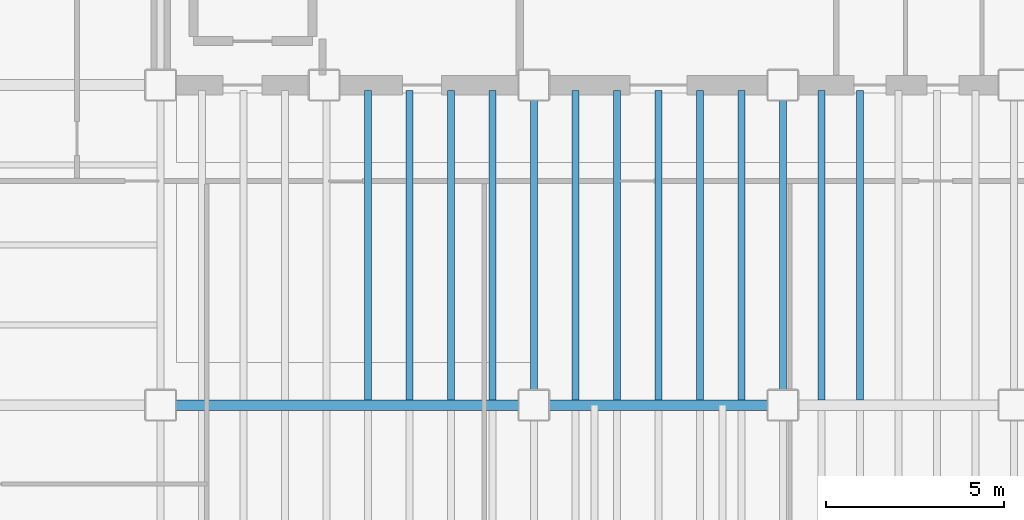
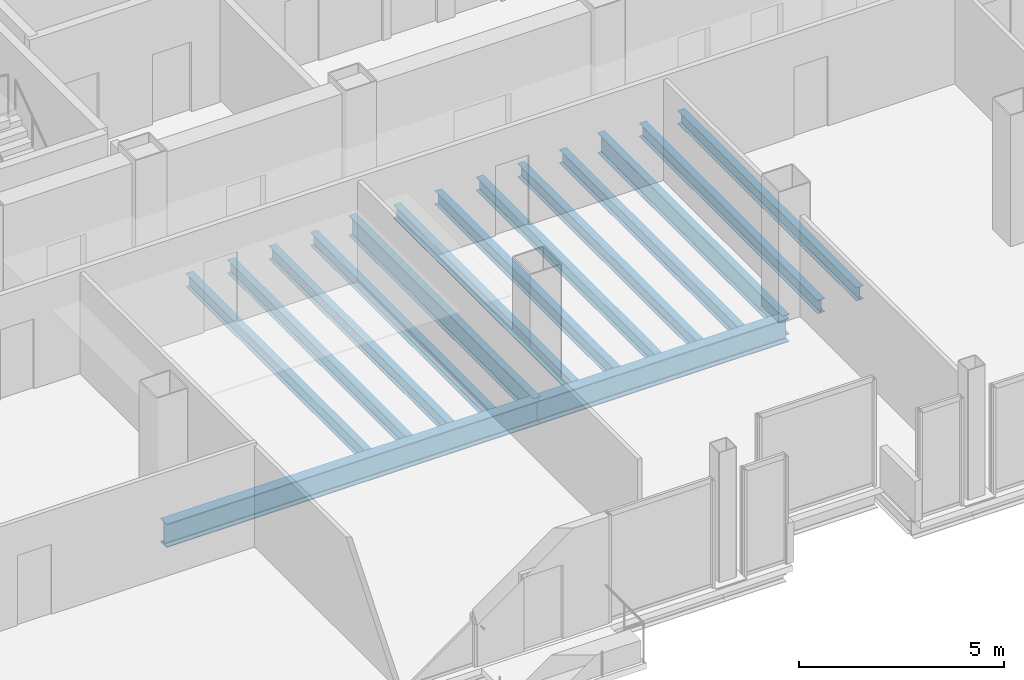
# One storey, part 6 of 20: 15 beams.
"""IFC4 building model written with IfcOpenShell, lengths in metres."""

from ifc_helpers import new_model, si_unit, direction, frame, origin, origin_2d, place, context, subcontext, project, spatial, i_section, extrude, material, material_profile, profile_set, type_object, element, save


model = new_model("IFC4")

# Units and contexts
model_context = context("Model", 3, precision=1e-05, world=origin(), true_north=direction((0.0, 1.0)))
body_context = subcontext(model_context, "Body", "Model", "MODEL_VIEW")
ifc_project = project(units=[si_unit("LENGTHUNIT", "METRE"), si_unit("AREAUNIT", "SQUARE_METRE"), si_unit("VOLUMEUNIT", "CUBIC_METRE"), si_unit("PLANEANGLEUNIT", "RADIAN"), si_unit("MASSUNIT", "GRAM", prefix="KILO")], contexts=[model_context])

# Site, building, storey
site_placement = place(None, origin())
site = spatial("IfcSite", under=ifc_project, at=site_placement, CompositionType="ELEMENT")
building_placement = place(site_placement, origin())
building = spatial("IfcBuilding", under=site, at=building_placement, Name="Noeulbin Bourse Tower", CompositionType="ELEMENT")
storey_placement = place(building_placement, frame((0.0, 0.0, 118.800048828125)))
storey = spatial("IfcBuildingStorey", under=building, at=storey_placement, Name="L29", CompositionType="ELEMENT", Elevation=118.800048828125)

# Beams
ifc_material = material(Name="Steel S355", Category="steel")
ifc_material_profile_1 = material_profile(ifc_material, i_section(OverallWidth=0.199951171875, OverallDepth=0.60009765625, WebThickness=0.010986328125, FlangeThickness=0.01708984375, FilletRadius=0.02197265625, at=origin_2d()), Name="H-600x200x11x17", Category="LoadBearing")
ifc_profile_set_1 = profile_set([ifc_material_profile_1], Name="Steel S355")
beam_type_1 = type_object("IfcBeamType", Name="BM-GRD-600", PredefinedType="USERDEFINED", material=ifc_profile_set_1)
for number, where, z_axis, x_axis, name in (
    (1, (24.0, 20.0, -0.47998046875), (0.0, 1.0, 0.0), (-1.0, 0.0, 0.0), "Tower Primary Girder NS L29-2.2"),
    (2, (31.0, 20.0, -0.47998046875), (0.0, 1.0, 0.0), (-1.0, 0.0, 0.0), "Tower Primary Girder NS L29-3.2"),
):
    element("IfcBeam", number, at=place(storey_placement, frame(where, z_axis=z_axis, x_axis=x_axis)), inside=storey, type_object=beam_type_1, Name=name, ObjectType="GIRDER", PredefinedType="USERDEFINED", context=body_context, shape_type="SweptSolid", body=[
        extrude(i_section(OverallWidth=0.199951171875, OverallDepth=0.60009765625, WebThickness=0.010986328125, FlangeThickness=0.01708984375, FilletRadius=0.02197265625, at=origin_2d()), origin(), (0.0, 0.0, 1.0), 9.0),
    ])
ifc_material_profile_2 = material_profile(ifc_material, i_section(OverallWidth=0.300048828125, OverallDepth=0.699951171875, WebThickness=0.012939453125, FlangeThickness=0.02392578125, FilletRadius=0.02392578125, at=origin_2d()), Name="H-700x300x13x24", Category="LoadBearing")
ifc_profile_set_2 = profile_set([ifc_material_profile_2], Name="Steel S355")
beam_type_2 = type_object("IfcBeamType", Name="BM-GRD-700", PredefinedType="USERDEFINED", material=ifc_profile_set_2)
beam_1_placement = place(storey_placement, frame((13.5, 20.0, -0.530029296875), z_axis=(1.0, 0.0, 0.0), x_axis=(0.0, 1.0, 0.0)))
element("IfcBeam", 3, at=beam_1_placement, inside=storey, type_object=beam_type_2, Name="Tower Primary Girder EW L29-1.2", ObjectType="GIRDER", PredefinedType="USERDEFINED", context=body_context, shape_type="SweptSolid", body=[
    extrude(i_section(OverallWidth=0.300048828125, OverallDepth=0.699951171875, WebThickness=0.012939453125, FlangeThickness=0.02392578125, FilletRadius=0.02392578125, at=origin_2d()), origin(), (0.0, 0.0, 1.0), 10.5),
])
beam_2_placement = place(storey_placement, frame((24.0, 20.0, -0.530029296875), z_axis=(1.0, 0.0, 0.0), x_axis=(0.0, 1.0, 0.0)))
element("IfcBeam", 4, at=beam_2_placement, inside=storey, type_object=beam_type_2, Name="Tower Primary Girder EW L29-1.3", ObjectType="GIRDER", PredefinedType="USERDEFINED", context=body_context, shape_type="SweptSolid", body=[
    extrude(i_section(OverallWidth=0.300048828125, OverallDepth=0.699951171875, WebThickness=0.012939453125, FlangeThickness=0.02392578125, FilletRadius=0.02392578125, at=origin_2d()), origin(), (0.0, 0.0, 1.0), 7.0),
])
ifc_material_profile_3 = material_profile(ifc_material, i_section(OverallWidth=0.199951171875, OverallDepth=0.39990234375, WebThickness=0.008056640625, FlangeThickness=0.012939453125, FilletRadius=0.01611328125, at=origin_2d()), Name="H-400x200x8x13", Category="LoadBearing")
ifc_profile_set_3 = profile_set([ifc_material_profile_3], Name="Steel S355")
beam_type_3 = type_object("IfcBeamType", Name="BM-SEC-400", PredefinedType="BEAM", material=ifc_profile_set_3)
for number, where, z_axis, x_axis, name in (
    (5, (19.333251953125, 20.14990234375, -0.380126953125), (0.0, 1.0, 0.0), (-1.0, 0.0, 0.0), "Tower Composite Joist L29-10"),
    (6, (20.5, 20.14990234375, -0.380126953125), (0.0, 1.0, 0.0), (-1.0, 0.0, 0.0), "Tower Composite Joist L29-12"),
    (7, (21.666748046875, 20.14990234375, -0.380126953125), (0.0, 1.0, 0.0), (-1.0, 0.0, 0.0), "Tower Composite Joist L29-14"),
    (8, (22.833251953125, 20.14990234375, -0.380126953125), (0.0, 1.0, 0.0), (-1.0, 0.0, 0.0), "Tower Composite Joist L29-16"),
    (9, (25.166748046875, 20.14990234375, -0.380126953125), (0.0, 1.0, 0.0), (-1.0, 0.0, 0.0), "Tower Composite Joist L29-18"),
    (10, (26.333251953125, 20.14990234375, -0.380126953125), (0.0, 1.0, 0.0), (-1.0, 0.0, 0.0), "Tower Composite Joist L29-20"),
    (11, (27.5, 20.14990234375, -0.380126953125), (0.0, 1.0, 0.0), (-1.0, 0.0, 0.0), "Tower Composite Joist L29-22"),
    (12, (28.666748046875, 20.14990234375, -0.380126953125), (0.0, 1.0, 0.0), (-1.0, 0.0, 0.0), "Tower Composite Joist L29-24"),
    (13, (29.833251953125, 20.14990234375, -0.380126953125), (0.0, 1.0, 0.0), (-1.0, 0.0, 0.0), "Tower Composite Joist L29-26"),
    (14, (32.083251953125, 20.14990234375, -0.380126953125), (0.0, 1.0, 0.0), (-1.0, 0.0, 0.0), "Tower Composite Joist L29-28"),
    (15, (33.166748046875, 20.14990234375, -0.380126953125), (0.0, 1.0, 0.0), (-1.0, 0.0, 0.0), "Tower Composite Joist L29-30"),
):
    element("IfcBeam", number, at=place(storey_placement, frame(where, z_axis=z_axis, x_axis=x_axis)), inside=storey, type_object=beam_type_3, Name=name, PredefinedType="BEAM", context=body_context, shape_type="SweptSolid", body=[
        extrude(i_section(OverallWidth=0.199951171875, OverallDepth=0.39990234375, WebThickness=0.008056640625, FlangeThickness=0.012939453125, FilletRadius=0.01611328125, at=origin_2d()), origin(), (0.0, 0.0, 1.0), 8.7001953125),
    ])

save(model, "model.ifc")
